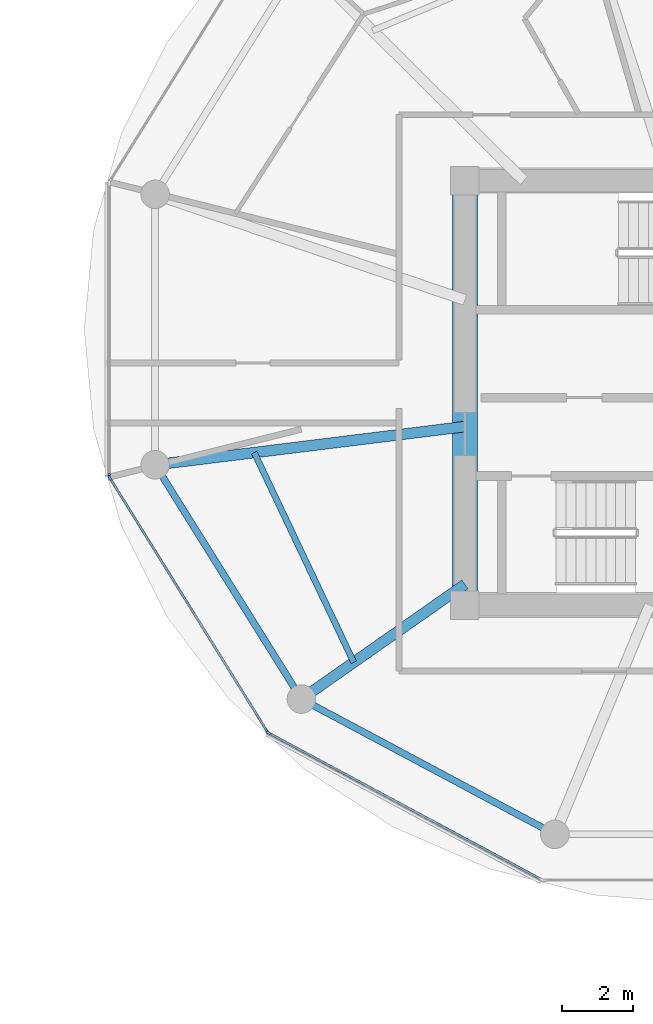
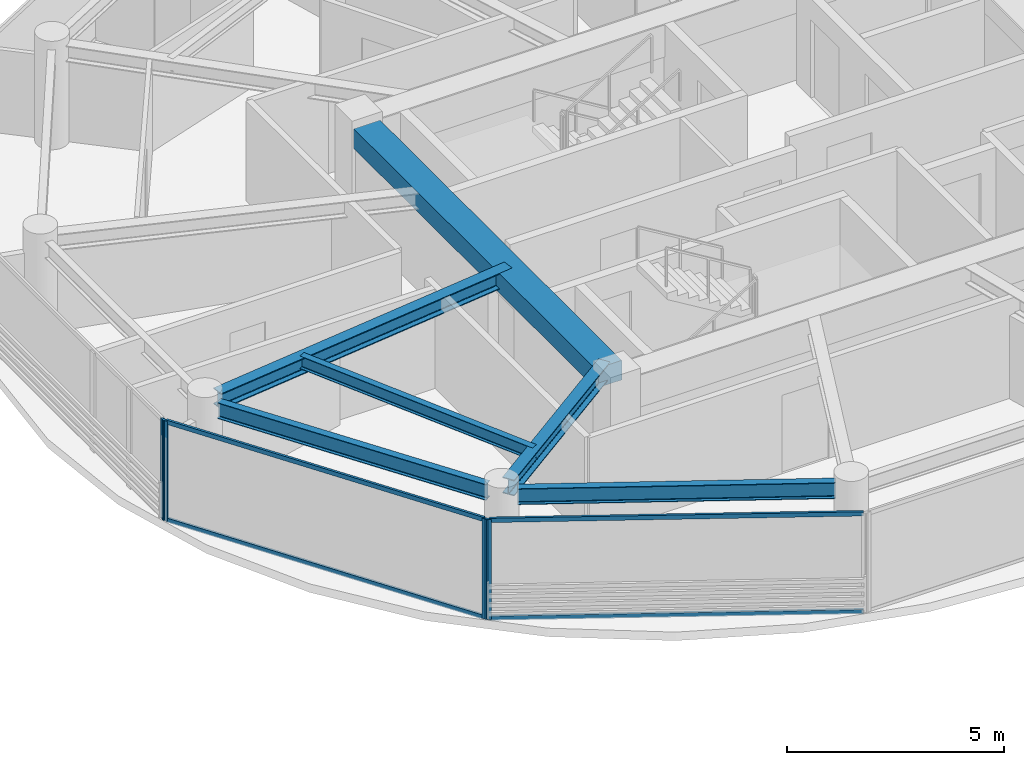
# One storey, part 6 of 23: 8 members, 6 beams, 3 elements without a shape of their own.
"""IFC4 building model written with IfcOpenShell, lengths in metres."""

from ifc_helpers import new_model, si_unit, direction, frame, origin, origin_2d, place, context, subcontext, project, spatial, rectangle, i_section, extrude, source, transform, mapped, material, layer, layer_set, material_profile, profile_set, type_object, type_shapes, element, aggregate, save


model = new_model("IFC4")

# Units and contexts
model_context = context("Model", 3, precision=1e-05, world=origin(), true_north=direction((0.0, 1.0)))
body_context = subcontext(model_context, "Body", "Model", "MODEL_VIEW")
ifc_project = project(units=[si_unit("LENGTHUNIT", "METRE"), si_unit("AREAUNIT", "SQUARE_METRE"), si_unit("VOLUMEUNIT", "CUBIC_METRE"), si_unit("PLANEANGLEUNIT", "RADIAN"), si_unit("MASSUNIT", "GRAM", prefix="KILO")], contexts=[model_context])

# Site, building, storey
site_placement = place(None, origin())
site = spatial("IfcSite", under=ifc_project, at=site_placement, CompositionType="ELEMENT")
building_placement = place(site_placement, origin())
building = spatial("IfcBuilding", under=site, at=building_placement, Name="Norrkilde Senior Care Towers", CompositionType="ELEMENT")
storey_placement = place(building_placement, frame((0.0, 0.0, 164.800048828125)))
storey = spatial("IfcBuildingStorey", under=building, at=storey_placement, Name="L51", CompositionType="ELEMENT", Elevation=164.800048828125)

# Beams
ifc_material_1 = material(Name="Concrete C60/75", Category="concrete")
ifc_material_profile_1 = material_profile(ifc_material_1, rectangle(XDim=0.699951171875, YDim=0.550048828125, at=origin_2d()), Name="RC BM 700x550")
ifc_profile_set_1 = profile_set([ifc_material_profile_1], Name="Concrete C60/75")
beam_type_1 = type_object("IfcBeamType", Name="Core Portal Coupling Beam 700x550", PredefinedType="USERDEFINED", material=ifc_profile_set_1)
shared_shape_1 = source(origin(), body_context, "Body", "SweptSolid", [
    extrude(rectangle(XDim=0.699951171875, YDim=0.550048828125, at=origin_2d()), origin(), (0.0, 0.0, 1.0), 11.14013671875),
])
type_shapes(beam_type_1, [shared_shape_1])
beam_1_placement = place(storey_placement, frame((20.35009765625, -5.570068359375, 2.534912109375), z_axis=(0.0, 1.0, 0.0), x_axis=(-1.0, 0.0, 0.0)))
element("IfcBeam", 1, at=beam_1_placement, inside=storey, type_object=beam_type_1, Name="L51 Core E W Coupling Girder", ObjectType="GIRDER", PredefinedType="USERDEFINED", context=body_context, shape_type="MappedRepresentation", body=[
    mapped(shared_shape_1, transform((0.0, 0.0, 0.0), x_axis=(1.0, 0.0, 0.0), y_axis=(0.0, 1.0, 0.0), z_axis=(0.0, 0.0, 1.0), scale=1.0)),
])
ifc_material_2 = material(Name="Steel S355", Category="steel")
ifc_material_profile_2 = material_profile(ifc_material_2, i_section(OverallWidth=0.18994140625, OverallDepth=0.449951171875, WebThickness=0.009521484375, FlangeThickness=0.0146484375, FilletRadius=0.02099609375, at=origin_2d()), Name="IPE 450")
ifc_profile_set_2 = profile_set([ifc_material_profile_2], Name="Steel S355")
beam_type_2 = type_object("IfcBeamType", Name="Perimeter Ring Spandrel Z3 IPE450", PredefinedType="SPANDREL", material=ifc_profile_set_2)
shared_shape_2 = source(origin(), body_context, "Body", "SweptSolid", [
    extrude(i_section(OverallWidth=0.18994140625, OverallDepth=0.449951171875, WebThickness=0.009521484375, FlangeThickness=0.0146484375, FilletRadius=0.02099609375, at=origin_2d()), origin(), (0.0, 0.0, 1.0), 7.023193359375),
])
beam_2_placement = place(storey_placement, frame((11.855712890625, -2.32177734375, 2.5849609375), z_axis=(0.529805197269, -0.848119362441, 0.0), x_axis=(0.848119362441, 0.529805197269, 0.0)))
element("IfcBeam", 2, at=beam_2_placement, inside=storey, type_object=beam_type_2, Name="L51 Drum E Perimeter Spandrel 07", PredefinedType="SPANDREL", context=body_context, shape_type="MappedRepresentation", body=[
    mapped(shared_shape_2, transform((0.0, 0.0, 0.0), x_axis=(1.0, 0.0, 0.0), y_axis=(0.0, 1.0, 0.0), z_axis=(0.0, 0.0, 1.0), scale=1.0)),
])
shared_shape_3 = source(origin(), body_context, "Body", "SweptSolid", [
    extrude(i_section(OverallWidth=0.18994140625, OverallDepth=0.449951171875, WebThickness=0.009521484375, FlangeThickness=0.0146484375, FilletRadius=0.02099609375, at=origin_2d()), origin(), (0.0, 0.0, 1.0), 7.333984375),
])
type_shapes(beam_type_2, [shared_shape_2, shared_shape_3])
beam_3_placement = place(storey_placement, frame((16.0849609375, -8.753173828125, 2.5849609375), z_axis=(0.882234038987, -0.470811109101, 0.0), x_axis=(0.470811109101, 0.882234038987, 0.0)))
element("IfcBeam", 3, at=beam_3_placement, inside=storey, type_object=beam_type_2, Name="L51 Drum E Perimeter Spandrel 08", PredefinedType="SPANDREL", context=body_context, shape_type="MappedRepresentation", body=[
    mapped(shared_shape_3, transform((0.0, 0.0, 0.0), x_axis=(1.0, 0.0, 0.0), y_axis=(0.0, 1.0, 0.0), z_axis=(0.0, 0.0, 1.0), scale=1.0)),
])
ifc_material_profile_3 = material_profile(ifc_material_2, i_section(OverallWidth=0.300048828125, OverallDepth=0.449951171875, WebThickness=0.013916015625, FlangeThickness=0.02587890625, FilletRadius=0.027099609375, at=origin_2d()), Name="HEB 450")
ifc_profile_set_3 = profile_set([ifc_material_profile_3], Name="Steel S355")
beam_type_3 = type_object("IfcBeamType", Name="Radial Floor Beam Z3 HEB450", PredefinedType="BEAM", material=ifc_profile_set_3)
shared_shape_4 = source(origin(), body_context, "Body", "SweptSolid", [
    extrude(i_section(OverallWidth=0.300048828125, OverallDepth=0.449951171875, WebThickness=0.013916015625, FlangeThickness=0.02587890625, FilletRadius=0.027099609375, at=origin_2d()), origin(), (0.0, 0.0, 1.0), 5.23828125),
])
beam_4_placement = place(storey_placement, frame((20.35009765625, -5.3681640625, 2.5849609375), z_axis=(-0.818592061291, -0.574375345215, 0.0), x_axis=(0.574375345215, -0.818592061291, 0.0)))
element("IfcBeam", 4, at=beam_4_placement, inside=storey, type_object=beam_type_3, Name="L51 Drum E Radial Floor Beam 08", PredefinedType="BEAM", context=body_context, shape_type="MappedRepresentation", body=[
    mapped(shared_shape_4, transform((0.0, 0.0, 0.0), x_axis=(1.0, 0.0, 0.0), y_axis=(0.0, 1.0, 0.0), z_axis=(0.0, 0.0, 1.0), scale=1.0)),
])
shared_shape_5 = source(origin(), body_context, "Body", "SweptSolid", [
    extrude(i_section(OverallWidth=0.300048828125, OverallDepth=0.449951171875, WebThickness=0.013916015625, FlangeThickness=0.02587890625, FilletRadius=0.027099609375, at=origin_2d()), origin(), (0.0, 0.0, 1.0), 8.390869140625),
])
type_shapes(beam_type_3, [shared_shape_4, shared_shape_5])
beam_5_placement = place(storey_placement, frame((20.35009765625, -0.9443359375, 2.5849609375), z_axis=(-0.99246916403, -0.122494728249, 0.0), x_axis=(0.122494728249, -0.99246916403, 0.0)))
element("IfcBeam", 5, at=beam_5_placement, inside=storey, type_object=beam_type_3, Name="L51 Drum E Radial Floor Beam 07", PredefinedType="BEAM", context=body_context, shape_type="MappedRepresentation", body=[
    mapped(shared_shape_5, transform((0.0, 0.0, 0.0), x_axis=(1.0, 0.0, 0.0), y_axis=(0.0, 1.0, 0.0), z_axis=(0.0, 0.0, 1.0), scale=1.0)),
])
ifc_material_profile_4 = material_profile(ifc_material_2, i_section(OverallWidth=0.169921875, OverallDepth=0.360107421875, WebThickness=0.008056640625, FlangeThickness=0.0126953125, FilletRadius=0.01806640625, at=origin_2d()), Name="IPE 360")
ifc_profile_set_4 = profile_set([ifc_material_profile_4], Name="Steel S355")
beam_type_4 = type_object("IfcBeamType", Name="Secondary Floor Joist IPE360", PredefinedType="JOIST", material=ifc_profile_set_4)
shared_shape_6 = source(origin(), body_context, "Body", "SweptSolid", [
    extrude(i_section(OverallWidth=0.169921875, OverallDepth=0.360107421875, WebThickness=0.008056640625, FlangeThickness=0.0126953125, FilletRadius=0.01806640625, at=origin_2d()), origin(), (0.0, 0.0, 1.0), 6.50927734375),
])
type_shapes(beam_type_4, [shared_shape_6])
beam_6_placement = place(storey_placement, frame((14.4443359375, -1.67333984375, 2.6298828125), z_axis=(0.428544169129, -0.90352083269, 0.0), x_axis=(0.90352083269, 0.428544169129, 0.0)))
element("IfcBeam", 6, at=beam_6_placement, inside=storey, type_object=beam_type_4, Name="L51 Drum E Secondary Floor Joist 3", PredefinedType="JOIST", context=body_context, shape_type="MappedRepresentation", body=[
    mapped(shared_shape_6, transform((0.0, 0.0, 0.0), x_axis=(1.0, 0.0, 0.0), y_axis=(0.0, 1.0, 0.0), z_axis=(0.0, 0.0, 1.0), scale=1.0)),
])

# Curtain wall, member
ifc_material_3 = material(Name="Triple Low-E Insulated Glazing", Category="glass")
ifc_layer = layer(ifc_material_3, 0.18994140625)
ifc_layer_set = layer_set([ifc_layer], Name="Triple Low-E Insulated Glazing")
curtain_wall_type = type_object("IfcCurtainWallType", Name="CW4 Zone 3 Senior Residence Curtain Wall", PredefinedType="NOTDEFINED", material=ifc_layer_set)
curtain_wall_1_placement = place(storey_placement, origin())
curtain_wall_1 = element("IfcCurtainWall", 7, at=curtain_wall_1_placement, inside=storey, type_object=curtain_wall_type, Name="L51 Drum E Curtain Wall 05", PredefinedType="NOTDEFINED")
ifc_material_4 = material(Name="Anodised Aluminium", Category="aluminium")
ifc_material_profile_5 = material_profile(ifc_material_4, rectangle(XDim=0.06494140625, YDim=0.14990234375, at=origin_2d()), Name="ALU MULL 65x150")
ifc_profile_set_5 = profile_set([ifc_material_profile_5], Name="Anodised Aluminium")
member_type_1 = type_object("IfcMemberType", Name="Curtain Wall Mullion Z3-Z4 65x150", PredefinedType="MULLION", material=ifc_profile_set_5)
shared_shape_7 = source(origin(), body_context, "Body", "SweptSolid", [
    extrude(rectangle(XDim=0.06494140625, YDim=0.14990234375, at=origin_2d()), origin(), (0.0, 0.0, 1.0), 2.81005859375),
])
type_shapes(member_type_1, [shared_shape_7])
member_1_placement = place(storey_placement, frame((10.38037109375, -2.328125, 0.0), z_axis=(0.0, 0.0, 1.0), x_axis=(-1.0, 0.0, 0.0)))
member_1 = element("IfcMember", 8, at=member_1_placement, type_object=member_type_1, Name="CW-4 mullion 1", PredefinedType="MULLION", context=body_context, shape_type="MappedRepresentation", body=[
    mapped(shared_shape_7, transform((0.0, 0.0, 0.0), x_axis=(1.0, 0.0, 0.0), y_axis=(0.0, 1.0, 0.0), z_axis=(0.0, 0.0, 1.0), scale=1.0)),
])
aggregate(curtain_wall_1, [member_1])

# Curtain wall, members
curtain_wall_2_placement = place(storey_placement, origin())
curtain_wall_2 = element("IfcCurtainWall", 9, at=curtain_wall_2_placement, inside=storey, type_object=curtain_wall_type, Name="L51 Drum E Curtain Wall 06", PredefinedType="NOTDEFINED")
member_2_placement = place(storey_placement, frame((14.809814453125, -9.49658203125, 0.0), z_axis=(0.0, 0.0, 1.0), x_axis=(-0.84963405474, -0.52737270789, 0.0)))
member_2 = element("IfcMember", 10, at=member_2_placement, type_object=member_type_1, Name="CW-4 mullion 1", PredefinedType="MULLION", context=body_context, shape_type="MappedRepresentation", body=[
    mapped(shared_shape_7, transform((0.0, 0.0, 0.0), x_axis=(1.0, 0.0, 0.0), y_axis=(0.0, 1.0, 0.0), z_axis=(0.0, 0.0, 1.0), scale=1.0)),
])
member_3_placement = place(storey_placement, frame((10.3974609375, -2.38818359375, 0.0), z_axis=(0.0, 0.0, 1.0), x_axis=(-0.84963405474, -0.52737270789, 0.0)))
member_3 = element("IfcMember", 11, at=member_3_placement, type_object=member_type_1, Name="CW-4 mullion 2", PredefinedType="MULLION", context=body_context, shape_type="MappedRepresentation", body=[
    mapped(shared_shape_7, transform((0.0, 0.0, 0.0), x_axis=(1.0, 0.0, 0.0), y_axis=(0.0, 1.0, 0.0), z_axis=(0.0, 0.0, 1.0), scale=1.0)),
])

# Curtain wall, member
curtain_wall_3_placement = place(storey_placement, origin())
curtain_wall_3 = element("IfcCurtainWall", 12, at=curtain_wall_3_placement, inside=storey, type_object=curtain_wall_type, Name="L51 Drum E Curtain Wall 07", PredefinedType="NOTDEFINED")
member_4_placement = place(storey_placement, frame((14.85546875, -9.53955078125, 0.0), z_axis=(0.0, 0.0, 1.0), x_axis=(-0.47311715104, -0.880999524059, 0.0)))
member_4 = element("IfcMember", 13, at=member_4_placement, type_object=member_type_1, Name="CW-4 mullion 2", PredefinedType="MULLION", context=body_context, shape_type="MappedRepresentation", body=[
    mapped(shared_shape_7, transform((0.0, 0.0, 0.0), x_axis=(1.0, 0.0, 0.0), y_axis=(0.0, 1.0, 0.0), z_axis=(0.0, 0.0, 1.0), scale=1.0)),
])

# Member
ifc_material_profile_6 = material_profile(ifc_material_4, rectangle(XDim=0.06005859375, YDim=0.1201171875, at=origin_2d()), Name="ALU TRAN 60x120")
ifc_profile_set_6 = profile_set([ifc_material_profile_6], Name="Anodised Aluminium")
member_type_2 = type_object("IfcMemberType", Name="Curtain Wall Transom Typical 60x120", PredefinedType="USERDEFINED", material=ifc_profile_set_6)
shared_shape_8 = source(origin(), body_context, "Body", "SweptSolid", [
    extrude(rectangle(XDim=0.06005859375, YDim=0.1201171875, at=origin_2d()), origin(), (0.0, 0.0, 1.0), 8.301513671875),
])
member_5_placement = place(storey_placement, frame((14.792724609375, -9.468994140625, 0.030029296875), z_axis=(-0.527368718394, 0.849636531029, 0.0), x_axis=(-0.849636531029, -0.527368718394, 0.0)))
member_5 = element("IfcMember", 14, at=member_5_placement, type_object=member_type_2, Name="CW-4 transom 1.1", ObjectType="TRANSOM", PredefinedType="USERDEFINED", context=body_context, shape_type="MappedRepresentation", body=[
    mapped(shared_shape_8, transform((0.0, 0.0, 0.0), x_axis=(1.0, 0.0, 0.0), y_axis=(0.0, 1.0, 0.0), z_axis=(0.0, 0.0, 1.0), scale=1.0)),
])

member_6_placement = place(storey_placement, frame((14.792724609375, -9.468994140625, 2.780029296875), z_axis=(-0.527368718394, 0.849636531029, 0.0), x_axis=(-0.849636531029, -0.527368718394, 0.0)))
member_6 = element("IfcMember", 15, at=member_6_placement, type_object=member_type_2, Name="CW-4 transom 1.2", ObjectType="TRANSOM", PredefinedType="USERDEFINED", context=body_context, shape_type="MappedRepresentation", body=[
    mapped(shared_shape_8, transform((0.0, 0.0, 0.0), x_axis=(1.0, 0.0, 0.0), y_axis=(0.0, 1.0, 0.0), z_axis=(0.0, 0.0, 1.0), scale=1.0)),
])

aggregate(curtain_wall_2, [member_2, member_3, member_5, member_6])

shared_shape_9 = source(origin(), body_context, "Body", "SweptSolid", [
    extrude(rectangle(XDim=0.06005859375, YDim=0.1201171875, at=origin_2d()), origin(), (0.0, 0.0, 1.0), 8.61181640625),
])
type_shapes(member_type_2, [shared_shape_8, shared_shape_9])
member_7_placement = place(storey_placement, frame((22.47119140625, -13.62939453125, 0.030029296875), z_axis=(-0.880993991641, 0.473127452906, 0.0), x_axis=(-0.473127452906, -0.880993991641, 0.0)))
member_7 = element("IfcMember", 16, at=member_7_placement, type_object=member_type_2, Name="CW-4 transom 1.1", ObjectType="TRANSOM", PredefinedType="USERDEFINED", context=body_context, shape_type="MappedRepresentation", body=[
    mapped(shared_shape_9, transform((0.0, 0.0, 0.0), x_axis=(1.0, 0.0, 0.0), y_axis=(0.0, 1.0, 0.0), z_axis=(0.0, 0.0, 1.0), scale=1.0)),
])

member_8_placement = place(storey_placement, frame((22.47119140625, -13.62939453125, 2.780029296875), z_axis=(-0.880993991641, 0.473127452906, 0.0), x_axis=(-0.473127452906, -0.880993991641, 0.0)))
member_8 = element("IfcMember", 17, at=member_8_placement, type_object=member_type_2, Name="CW-4 transom 1.2", ObjectType="TRANSOM", PredefinedType="USERDEFINED", context=body_context, shape_type="MappedRepresentation", body=[
    mapped(shared_shape_9, transform((0.0, 0.0, 0.0), x_axis=(1.0, 0.0, 0.0), y_axis=(0.0, 1.0, 0.0), z_axis=(0.0, 0.0, 1.0), scale=1.0)),
])

aggregate(curtain_wall_3, [member_4, member_7, member_8])

save(model, "model.ifc")
